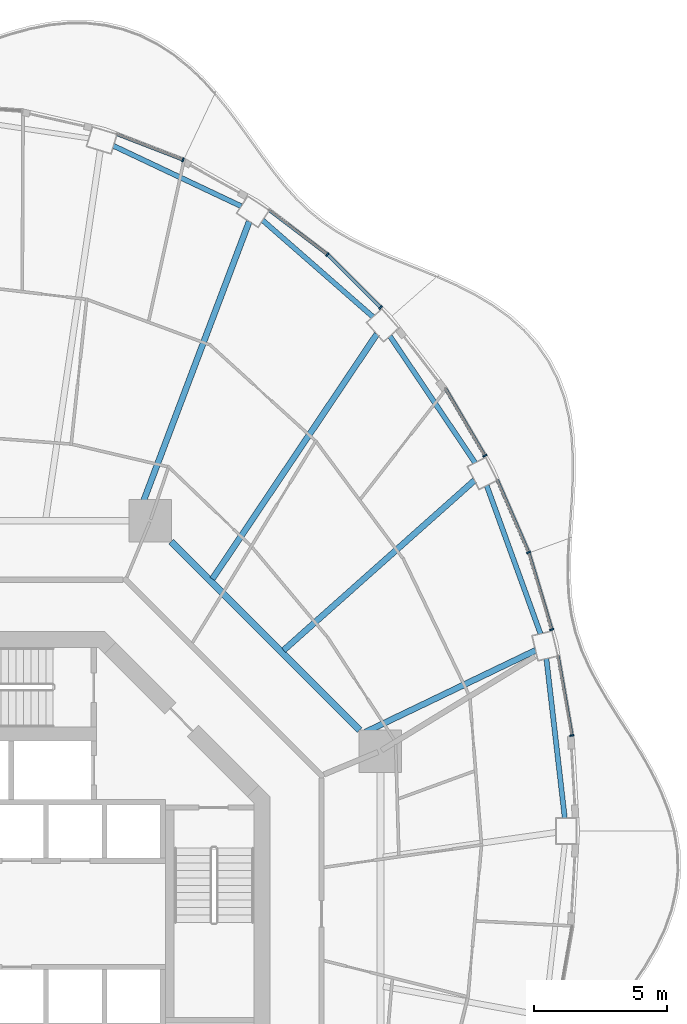
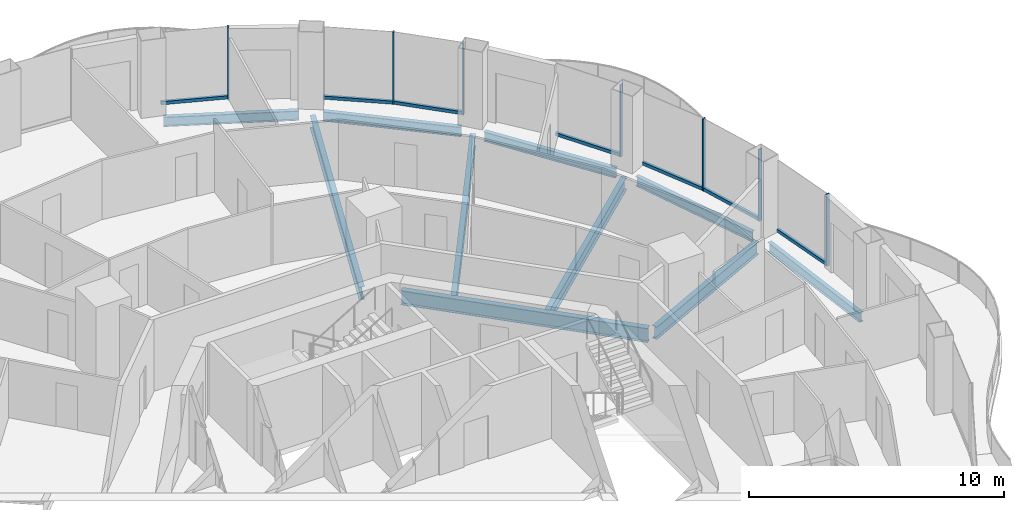
# One storey, part 7 of 18: 14 members, 10 beams, 7 elements without a shape of their own.
"""IFC4 building model written with IfcOpenShell, lengths in metres."""

from ifc_helpers import new_model, si_unit, direction, frame, origin, origin_2d, place, context, subcontext, project, spatial, rectangle, i_section, extrude, material, layer, layer_set, material_profile, profile_set, type_object, element, aggregate, save


model = new_model("IFC4")

# Units and contexts
model_context = context("Model", 3, precision=1e-05, world=origin(), true_north=direction((0.0, 1.0)))
body_context = subcontext(model_context, "Body", "Model", "MODEL_VIEW")
ifc_project = project(units=[si_unit("LENGTHUNIT", "METRE"), si_unit("AREAUNIT", "SQUARE_METRE"), si_unit("VOLUMEUNIT", "CUBIC_METRE"), si_unit("PLANEANGLEUNIT", "RADIAN"), si_unit("MASSUNIT", "GRAM", prefix="KILO")], contexts=[model_context])

# Site, building, storey
site_placement = place(None, origin())
site = spatial("IfcSite", under=ifc_project, at=site_placement, CompositionType="ELEMENT")
building_placement = place(site_placement, origin())
building = spatial("IfcBuilding", under=site, at=building_placement, Name="Nagisa Residences", CompositionType="ELEMENT")
storey_placement = place(building_placement, frame((0.0, 0.0, 219.60009765625)))
storey = spatial("IfcBuildingStorey", under=building, at=storey_placement, Name="L55", CompositionType="ELEMENT", Elevation=219.60009765625)

# Curtain wall, member
ifc_material_1 = material(Name="Concrete-coloured aluminium curtain wall system", Category="concrete")
ifc_layer = layer(ifc_material_1, 0.159912109375)
ifc_layer_set = layer_set([ifc_layer], Name="CW1 CURTAIN WALL")
curtain_wall_type = type_object("IfcCurtainWallType", Name="CW1 CURTAIN WALL", PredefinedType="NOTDEFINED", material=ifc_layer_set)
curtain_wall_1_placement = place(storey_placement, origin())
curtain_wall_1 = element("IfcCurtainWall", 1, at=curtain_wall_1_placement, inside=storey, type_object=curtain_wall_type, Name="cw:CW1:L55:01", PredefinedType="NOTDEFINED")
ifc_material_2 = material(Name="Concrete-coloured aluminium", Category="concrete")
ifc_material_profile_1 = material_profile(ifc_material_2, rectangle(XDim=0.159912109375, YDim=0.06005859375, at=origin_2d()), Name="CW1 MULLION 160x60")
ifc_profile_set_1 = profile_set([ifc_material_profile_1], Name="Concrete-coloured aluminium")
member_type_1 = type_object("IfcMemberType", Name="CW1 MULLION 160x60", PredefinedType="MULLION", material=ifc_profile_set_1)
member_1_placement = place(storey_placement, frame((21.980224609375, 6.70849609375, 0.0), z_axis=(0.0, 0.0, 1.0), x_axis=(-0.985063604377, -0.172190868898, 0.0)))
member_1 = element("IfcMember", 2, at=member_1_placement, type_object=member_type_1, Name="CW1 mullion", PredefinedType="MULLION", context=body_context, shape_type="SweptSolid", body=[
    extrude(rectangle(XDim=0.159912109375, YDim=0.06005859375, at=origin_2d()), origin(), (0.0, 0.0, 1.0), 3.43994140625),
])

curtain_wall_2_placement = place(storey_placement, origin())
curtain_wall_2 = element("IfcCurtainWall", 3, at=curtain_wall_2_placement, inside=storey, type_object=curtain_wall_type, Name="cw:CW1:L55:02", PredefinedType="NOTDEFINED")
member_2_placement = place(storey_placement, frame((21.2216796875, 10.691650390625, 0.0), z_axis=(0.0, 0.0, 1.0), x_axis=(-0.958271310082, -0.285860274038, 0.0)))
member_2 = element("IfcMember", 4, at=member_2_placement, type_object=member_type_1, Name="CW1 mullion", PredefinedType="MULLION", context=body_context, shape_type="SweptSolid", body=[
    extrude(rectangle(XDim=0.159912109375, YDim=0.06005859375, at=origin_2d()), origin(), (0.0, 0.0, 1.0), 3.43994140625),
])

curtain_wall_3_placement = place(storey_placement, origin())
curtain_wall_3 = element("IfcCurtainWall", 5, at=curtain_wall_3_placement, inside=storey, type_object=curtain_wall_type, Name="cw:CW1:L55:03", PredefinedType="NOTDEFINED")
member_3_placement = place(storey_placement, frame((20.3525390625, 13.59521484375, 0.0), z_axis=(0.0, 0.0, 1.0), x_axis=(-0.917543276295, -0.397635934147, 0.0)))
member_3 = element("IfcMember", 6, at=member_3_placement, type_object=member_type_1, Name="CW1 mullion", PredefinedType="MULLION", context=body_context, shape_type="SweptSolid", body=[
    extrude(rectangle(XDim=0.159912109375, YDim=0.06005859375, at=origin_2d()), origin(), (0.0, 0.0, 1.0), 3.43994140625),
])

curtain_wall_4_placement = place(storey_placement, origin())
curtain_wall_4 = element("IfcCurtainWall", 7, at=curtain_wall_4_placement, inside=storey, type_object=curtain_wall_type, Name="cw:CW1:L55:04", PredefinedType="NOTDEFINED")
member_4_placement = place(storey_placement, frame((18.707763671875, 17.229248046875, 0.0), z_axis=(0.0, 0.0, 1.0), x_axis=(-0.862328898214, -0.506348567002, 0.0)))
member_4 = element("IfcMember", 8, at=member_4_placement, type_object=member_type_1, Name="CW1 mullion", PredefinedType="MULLION", context=body_context, shape_type="SweptSolid", body=[
    extrude(rectangle(XDim=0.159912109375, YDim=0.06005859375, at=origin_2d()), origin(), (0.0, 0.0, 1.0), 3.43994140625),
])

curtain_wall_5_placement = place(storey_placement, origin())
curtain_wall_5 = element("IfcCurtainWall", 9, at=curtain_wall_5_placement, inside=storey, type_object=curtain_wall_type, Name="cw:CW1:L55:06", PredefinedType="NOTDEFINED")
member_5_placement = place(storey_placement, frame((14.788330078125, 22.802978515625, 0.0), z_axis=(0.0, 0.0, 1.0), x_axis=(-0.706376885714, -0.707835924016, 0.0)))
member_5 = element("IfcMember", 10, at=member_5_placement, type_object=member_type_1, Name="CW1 mullion", PredefinedType="MULLION", context=body_context, shape_type="SweptSolid", body=[
    extrude(rectangle(XDim=0.159912109375, YDim=0.06005859375, at=origin_2d()), origin(), (0.0, 0.0, 1.0), 3.43994140625),
])

curtain_wall_6_placement = place(storey_placement, origin())
curtain_wall_6 = element("IfcCurtainWall", 11, at=curtain_wall_6_placement, inside=storey, type_object=curtain_wall_type, Name="cw:CW1:L55:07", PredefinedType="NOTDEFINED")
member_6_placement = place(storey_placement, frame((12.780517578125, 24.802001953125, 0.0), z_axis=(0.0, 0.0, 1.0), x_axis=(-0.605255421737, -0.79603132756, 0.0)))
member_6 = element("IfcMember", 12, at=member_6_placement, type_object=member_type_1, Name="CW1 mullion", PredefinedType="MULLION", context=body_context, shape_type="SweptSolid", body=[
    extrude(rectangle(XDim=0.159912109375, YDim=0.06005859375, at=origin_2d()), origin(), (0.0, 0.0, 1.0), 3.43994140625),
])

curtain_wall_7_placement = place(storey_placement, origin())
curtain_wall_7 = element("IfcCurtainWall", 13, at=curtain_wall_7_placement, inside=storey, type_object=curtain_wall_type, Name="cw:CW1:L55:09", PredefinedType="NOTDEFINED")
member_7_placement = place(storey_placement, frame((7.3544921875, 28.35888671875, 0.0), z_axis=(0.0, 0.0, 1.0), x_axis=(-0.360327770268, -0.932825759707, 0.0)))
member_7 = element("IfcMember", 14, at=member_7_placement, type_object=member_type_1, Name="CW1 mullion", PredefinedType="MULLION", context=body_context, shape_type="SweptSolid", body=[
    extrude(rectangle(XDim=0.159912109375, YDim=0.06005859375, at=origin_2d()), origin(), (0.0, 0.0, 1.0), 3.43994140625),
])

# Member
ifc_material_3 = material(Name="Concrete-coloured aluminium", Category="concrete")
ifc_material_profile_2 = material_profile(ifc_material_3, rectangle(XDim=0.1201171875, YDim=0.14990234375, at=origin_2d()), Name="CW1 TRANSOM 120x150")
ifc_profile_set_2 = profile_set([ifc_material_profile_2], Name="Concrete-coloured aluminium")
member_type_2 = type_object("IfcMemberType", Name="CW1 TRANSOM 120x150", PredefinedType="USERDEFINED", material=ifc_profile_set_2)
member_8_placement = place(storey_placement, frame((21.9853515625, 6.678955078125, 0.074951171875), z_axis=(-0.172241318156, 0.985054784426, 0.0), x_axis=(-0.985054784426, -0.172241318156, 0.0)))
member_8 = element("IfcMember", 15, at=member_8_placement, type_object=member_type_2, Name="CW1 transom", ObjectType="TRANSOM", PredefinedType="USERDEFINED", context=body_context, shape_type="SweptSolid", body=[
    extrude(rectangle(XDim=0.1201171875, YDim=0.14990234375, at=origin_2d()), origin(), (0.0, 0.0, 1.0), 3.0673828125),
])

aggregate(curtain_wall_1, [member_1, member_8])

member_9_placement = place(storey_placement, frame((21.230224609375, 10.6630859375, 0.074951171875), z_axis=(-0.285881452443, 0.958264992134, 0.0), x_axis=(-0.958264992134, -0.285881452443, 0.0)))
member_9 = element("IfcMember", 16, at=member_9_placement, type_object=member_type_2, Name="CW1 transom", ObjectType="TRANSOM", PredefinedType="USERDEFINED", context=body_context, shape_type="SweptSolid", body=[
    extrude(rectangle(XDim=0.1201171875, YDim=0.14990234375, at=origin_2d()), origin(), (0.0, 0.0, 1.0), 3.040283203125),
])

aggregate(curtain_wall_2, [member_2, member_9])

member_10_placement = place(storey_placement, frame((20.3642578125, 13.567626953125, 0.074951171875), z_axis=(-0.397616567135, 0.917551669139, 0.0), x_axis=(-0.917551669139, -0.397616567135, 0.0)))
member_10 = element("IfcMember", 17, at=member_10_placement, type_object=member_type_2, Name="CW1 transom", ObjectType="TRANSOM", PredefinedType="USERDEFINED", context=body_context, shape_type="SweptSolid", body=[
    extrude(rectangle(XDim=0.1201171875, YDim=0.14990234375, at=origin_2d()), origin(), (0.0, 0.0, 1.0), 3.001953125),
])

aggregate(curtain_wall_3, [member_3, member_10])

member_11_placement = place(storey_placement, frame((18.72314453125, 17.203369140625, 0.074951171875), z_axis=(-0.5063555387, 0.862324804484, 0.0), x_axis=(-0.862324804484, -0.5063555387, 0.0)))
member_11 = element("IfcMember", 18, at=member_11_placement, type_object=member_type_2, Name="CW1 transom", ObjectType="TRANSOM", PredefinedType="USERDEFINED", context=body_context, shape_type="SweptSolid", body=[
    extrude(rectangle(XDim=0.1201171875, YDim=0.14990234375, at=origin_2d()), origin(), (0.0, 0.0, 1.0), 2.95458984375),
])

aggregate(curtain_wall_4, [member_4, member_11])

member_12_placement = place(storey_placement, frame((14.8095703125, 22.781982421875, 0.074951171875), z_axis=(-0.707836044127, 0.706376765356, 0.0), x_axis=(-0.706376765356, -0.707836044127, 0.0)))
member_12 = element("IfcMember", 19, at=member_12_placement, type_object=member_type_2, Name="CW1 transom", ObjectType="TRANSOM", PredefinedType="USERDEFINED", context=body_context, shape_type="SweptSolid", body=[
    extrude(rectangle(XDim=0.1201171875, YDim=0.14990234375, at=origin_2d()), origin(), (0.0, 0.0, 1.0), 2.84423828125),
])

aggregate(curtain_wall_5, [member_5, member_12])

member_13_placement = place(storey_placement, frame((12.804443359375, 24.783935546875, 0.074951171875), z_axis=(-0.795990084031, 0.60530966135, 0.0), x_axis=(-0.60530966135, -0.795990084031, 0.0)))
member_13 = element("IfcMember", 20, at=member_13_placement, type_object=member_type_2, Name="CW1 transom", ObjectType="TRANSOM", PredefinedType="USERDEFINED", context=body_context, shape_type="SweptSolid", body=[
    extrude(rectangle(XDim=0.1201171875, YDim=0.14990234375, at=origin_2d()), origin(), (0.0, 0.0, 1.0), 2.78857421875),
])

aggregate(curtain_wall_6, [member_6, member_13])

member_14_placement = place(storey_placement, frame((7.38232421875, 28.34814453125, 0.074951171875), z_axis=(-0.932826499224, 0.360325855782, 0.0), x_axis=(-0.360325855782, -0.932826499224, 0.0)))
member_14 = element("IfcMember", 21, at=member_14_placement, type_object=member_type_2, Name="CW1 transom", ObjectType="TRANSOM", PredefinedType="USERDEFINED", context=body_context, shape_type="SweptSolid", body=[
    extrude(rectangle(XDim=0.1201171875, YDim=0.14990234375, at=origin_2d()), origin(), (0.0, 0.0, 1.0), 2.696044921875),
])

aggregate(curtain_wall_7, [member_7, member_14])

# Beams
ifc_material_4 = material(Name="Steel ASTM A572 Gr 50", Category="steel")
ifc_material_profile_3 = material_profile(ifc_material_4, i_section(OverallWidth=0.2529296875, OverallDepth=0.677978515625, WebThickness=0.01171875, FlangeThickness=0.016357421875, at=origin_2d()), Name="W690x125")
ifc_profile_set_3 = profile_set([ifc_material_profile_3], Name="Steel ASTM A572 Gr 50")
beam_type_1 = type_object("IfcBeamType", Name="Inner ring beam W690x125", PredefinedType="BEAM", material=ifc_profile_set_3)
beam_1_placement = place(storey_placement, frame((13.99609375, 6.90869140625, -0.59912109375), z_axis=(-0.707106781187, 0.707106781187, 0.0), x_axis=(-0.707106781187, -0.707106781187, 0.0)))
element("IfcBeam", 22, at=beam_1_placement, inside=storey, type_object=beam_type_1, Name="beam:L55:ib1", PredefinedType="BEAM", context=body_context, shape_type="SweptSolid", body=[
    extrude(i_section(OverallWidth=0.2529296875, OverallDepth=0.677978515625, WebThickness=0.01171875, FlangeThickness=0.016357421875, at=origin_2d()), origin(), (0.0, 0.0, 1.0), 10.023193359375),
])
ifc_material_5 = material(Name="Steel ASTM A572 Gr 50", Category="steel")
ifc_material_profile_4 = material_profile(ifc_material_5, i_section(OverallWidth=0.18994140625, OverallDepth=0.45703125, WebThickness=0.009033203125, FlangeThickness=0.014404296875, at=origin_2d()), Name="W460x74")
ifc_profile_set_4 = profile_set([ifc_material_profile_4], Name="Steel ASTM A572 Gr 50")
beam_type_2 = type_object("IfcBeamType", Name="Perimeter ring beam W460x74", PredefinedType="BEAM", material=ifc_profile_set_4)
beam_2_placement = place(storey_placement, frame((21.714599609375, 3.597900390625, -0.488525390625), z_axis=(-0.114650193512, 0.993405925656, 0.0), x_axis=(-0.993405925656, -0.114650193512, 0.0)))
element("IfcBeam", 23, at=beam_2_placement, inside=storey, type_object=beam_type_2, Name="beam:L55:pb01", PredefinedType="BEAM", context=body_context, shape_type="SweptSolid", body=[
    extrude(i_section(OverallWidth=0.18994140625, OverallDepth=0.45703125, WebThickness=0.009033203125, FlangeThickness=0.014404296875, at=origin_2d()), origin(), (0.0, 0.0, 1.0), 6.0390625),
])
beam_3_placement = place(storey_placement, frame((20.802001953125, 10.53173828125, -0.488525390625), z_axis=(-0.34127712749, 0.939962723863, 0.0), x_axis=(-0.939962723863, -0.34127712749, 0.0)))
element("IfcBeam", 24, at=beam_3_placement, inside=storey, type_object=beam_type_2, Name="beam:L55:pb02", PredefinedType="BEAM", context=body_context, shape_type="SweptSolid", body=[
    extrude(i_section(OverallWidth=0.18994140625, OverallDepth=0.45703125, WebThickness=0.009033203125, FlangeThickness=0.014404296875, at=origin_2d()), origin(), (0.0, 0.0, 1.0), 5.9326171875),
])
beam_4_placement = place(storey_placement, frame((18.34228515625, 16.964111328125, -0.488525390625), z_axis=(-0.558109119402, 0.829767564345, 0.0), x_axis=(-0.829767564345, -0.558109119402, 0.0)))
element("IfcBeam", 25, at=beam_4_placement, inside=storey, type_object=beam_type_2, Name="beam:L55:pb03", PredefinedType="BEAM", context=body_context, shape_type="SweptSolid", body=[
    extrude(i_section(OverallWidth=0.18994140625, OverallDepth=0.45703125, WebThickness=0.009033203125, FlangeThickness=0.014404296875, at=origin_2d()), origin(), (0.0, 0.0, 1.0), 5.74365234375),
])
beam_5_placement = place(storey_placement, frame((14.502197265625, 22.45068359375, -0.488525390625), z_axis=(-0.75242320672, 0.65867998147, 0.0), x_axis=(-0.65867998147, -0.75242320672, 0.0)))
element("IfcBeam", 26, at=beam_5_placement, inside=storey, type_object=beam_type_2, Name="beam:L55:pb04", PredefinedType="BEAM", context=body_context, shape_type="SweptSolid", body=[
    extrude(i_section(OverallWidth=0.18994140625, OverallDepth=0.45703125, WebThickness=0.009033203125, FlangeThickness=0.014404296875, at=origin_2d()), origin(), (0.0, 0.0, 1.0), 5.5185546875),
])
beam_6_placement = place(storey_placement, frame((9.546630859375, 26.6123046875, -0.488525390625), z_axis=(-0.904133867308, 0.42724928319, 0.0), x_axis=(-0.42724928319, -0.904133867308, 0.0)))
element("IfcBeam", 27, at=beam_6_placement, inside=storey, type_object=beam_type_2, Name="beam:L55:pb05", PredefinedType="BEAM", context=body_context, shape_type="SweptSolid", body=[
    extrude(i_section(OverallWidth=0.18994140625, OverallDepth=0.45703125, WebThickness=0.009033203125, FlangeThickness=0.014404296875, at=origin_2d()), origin(), (0.0, 0.0, 1.0), 5.317138671875),
])
ifc_material_6 = material(Name="Steel ASTM A572 Gr 50", Category="steel")
ifc_material_profile_5 = material_profile(ifc_material_6, i_section(OverallWidth=0.22802734375, OverallDepth=0.60302734375, WebThickness=0.010498046875, FlangeThickness=0.014892578125, at=origin_2d()), Name="W610x101")
ifc_profile_set_5 = profile_set([ifc_material_profile_5], Name="Steel ASTM A572 Gr 50")
beam_type_3 = type_object("IfcBeamType", Name="Radial beam W610x101", PredefinedType="BEAM", material=ifc_profile_set_5)
beam_7_placement = place(storey_placement, frame((20.61572265625, 9.90869140625, -0.5615234375), z_axis=(-0.901297388138, -0.433200898124, 0.0), x_axis=(0.433200898124, -0.901297388138, 0.0)))
element("IfcBeam", 28, at=beam_7_placement, inside=storey, type_object=beam_type_3, Name="beam:L55:rb02", PredefinedType="BEAM", context=body_context, shape_type="SweptSolid", body=[
    extrude(i_section(OverallWidth=0.22802734375, OverallDepth=0.60302734375, WebThickness=0.010498046875, FlangeThickness=0.014892578125, at=origin_2d()), origin(), (0.0, 0.0, 1.0), 7.09423828125),
])
beam_8_placement = place(storey_placement, frame((18.318115234375, 16.301025390625, -0.5615234375), z_axis=(-0.747027831774, -0.664792763615, 0.0), x_axis=(0.664792763615, -0.747027831774, 0.0)))
element("IfcBeam", 29, at=beam_8_placement, inside=storey, type_object=beam_type_3, Name="beam:L55:rb03", PredefinedType="BEAM", context=body_context, shape_type="SweptSolid", body=[
    extrude(i_section(OverallWidth=0.22802734375, OverallDepth=0.60302734375, WebThickness=0.010498046875, FlangeThickness=0.014892578125, at=origin_2d()), origin(), (0.0, 0.0, 1.0), 9.607177734375),
])
beam_9_placement = place(storey_placement, frame((14.64697265625, 21.804931640625, -0.5615234375), z_axis=(-0.557606656779, -0.830105304354, 0.0), x_axis=(0.830105304354, -0.557606656779, 0.0)))
element("IfcBeam", 30, at=beam_9_placement, inside=storey, type_object=beam_type_3, Name="beam:L55:rb04", PredefinedType="BEAM", context=body_context, shape_type="SweptSolid", body=[
    extrude(i_section(OverallWidth=0.22802734375, OverallDepth=0.60302734375, WebThickness=0.010498046875, FlangeThickness=0.014892578125, at=origin_2d()), origin(), (0.0, 0.0, 1.0), 11.09423828125),
])
beam_10_placement = place(storey_placement, frame((9.84716796875, 26.04052734375, -0.5615234375), z_axis=(-0.353700839295, -0.935358603041, 0.0), x_axis=(0.935358603041, -0.353700839295, 0.0)))
element("IfcBeam", 31, at=beam_10_placement, inside=storey, type_object=beam_type_3, Name="beam:L55:rb05", PredefinedType="BEAM", context=body_context, shape_type="SweptSolid", body=[
    extrude(i_section(OverallWidth=0.22802734375, OverallDepth=0.60302734375, WebThickness=0.010498046875, FlangeThickness=0.014892578125, at=origin_2d()), origin(), (0.0, 0.0, 1.0), 11.921142578125),
])

save(model, "model.ifc")
